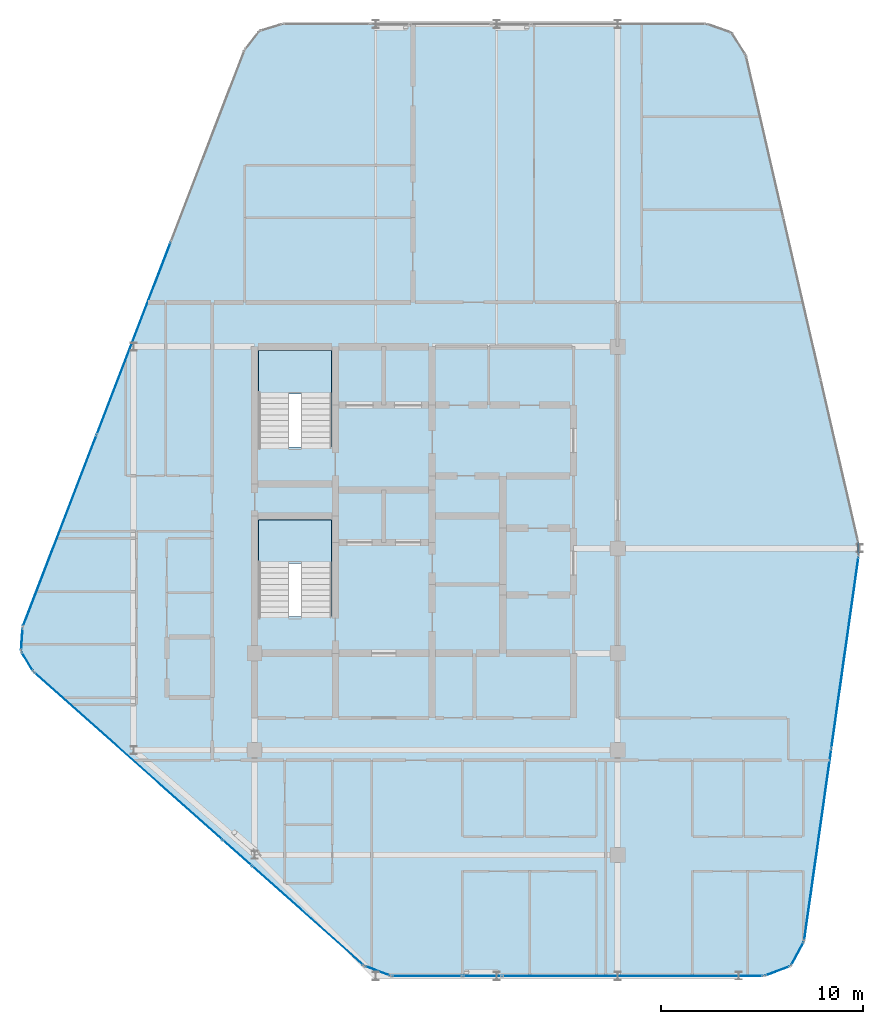
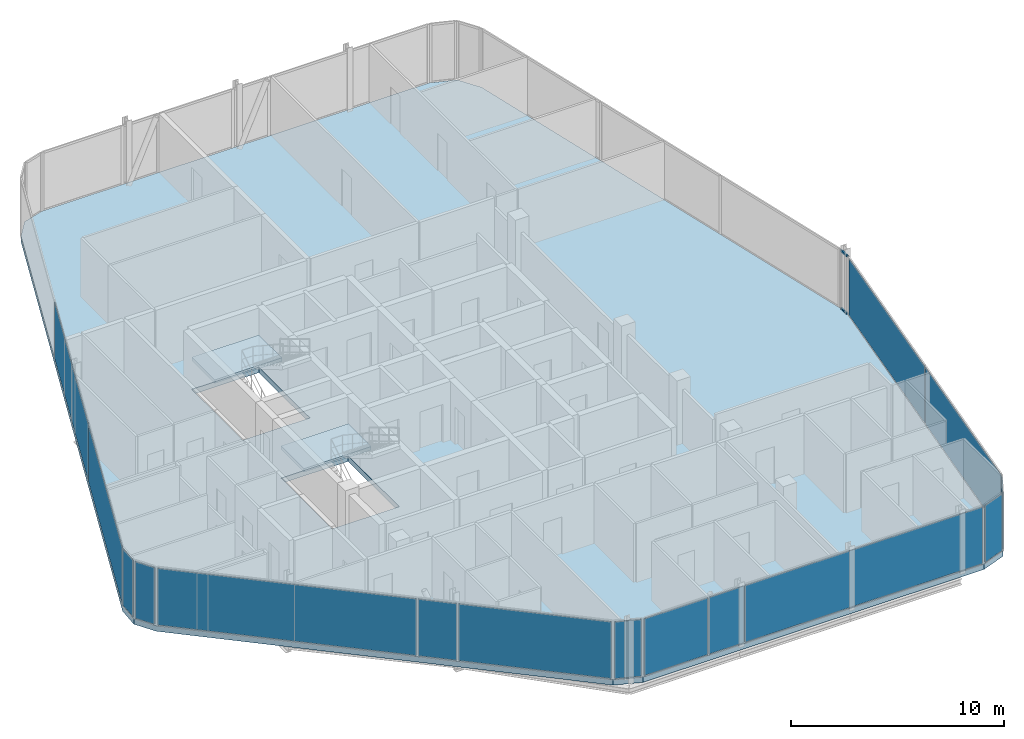
# One storey, part 20 of 27: 15 plates, 3 slabs, 2 members, 16 elements without a shape of their own.
"""IFC4 building model written with IfcOpenShell, lengths in metres."""

import ifcopenshell
import ifcopenshell.guid

model = None  # the IFC model being written
_history = None  # IfcOwnerHistory: only IFC2X3 demands one
_inside = {}  # id of a spatial element -> (the spatial element, [elements in it])
_under = {}  # id of a project, library or spatial element -> (it, [spatial elements below it])
_declared = {}  # id of a project -> (the project, [libraries it declares])
_typed = {}  # id of a type object -> (the type object, [elements of that type])
_made_of = {}  # id of a material, layer set ... -> (it, [elements and type objects made of it])


def new_model(schema):
    """Start an empty IFC model of exactly this schema.

    Asked for "IFC4X3", IfcOpenShell would pick the latest addendum, in which some entities
    have other attributes; the version numbers below select the first issue.
    IFC2X3 requires an IfcOwnerHistory on every rooted entity: one is made here for all.
    """
    global model, _history
    if schema == "IFC4X3":
        model = ifcopenshell.file(schema_version=(4, 3, 0, 0))
    else:
        model = ifcopenshell.file(schema=schema)
    _inside.clear()
    _under.clear()
    _declared.clear()
    _typed.clear()
    _made_of.clear()
    _history = None
    if model.schema == "IFC2X3":
        org = make("IfcOrganization", Name="unknown")
        user = make(
            "IfcPersonAndOrganization",
            ThePerson=make("IfcPerson", FamilyName="unknown"),
            TheOrganization=org,
        )
        app = make(
            "IfcApplication",
            ApplicationDeveloper=org,
            Version="unknown",
            ApplicationFullName="unknown",
            ApplicationIdentifier="unknown",
        )
        _history = make(
            "IfcOwnerHistory",
            OwningUser=user,
            OwningApplication=app,
            ChangeAction="ADDED",
            CreationDate=0,
        )
    return model


def make(cls, **values):
    """One entity of the class cls with the attributes given. An attribute that is None is left unset."""
    return model.create_entity(
        cls, **{name: value for name, value in values.items() if value is not None}
    )


def rooted(cls, **values):
    """An entity with a GlobalId (a new one), such as an element, a storey or a relation."""
    return make(cls, GlobalId=ifcopenshell.guid.new(), OwnerHistory=_history, **values)


def si_unit(unit_type, name, prefix=None):
    """IfcSIUnit, for example si_unit("LENGTHUNIT", "METRE", prefix="MILLI")."""
    return make("IfcSIUnit", UnitType=unit_type, Prefix=prefix, Name=name)


def assignment(units):
    """IfcUnitAssignment: the units of a project."""
    return None if units is None else make("IfcUnitAssignment", Units=units)


def point(xyz):
    """IfcCartesianPoint."""
    return None if xyz is None else make("IfcCartesianPoint", Coordinates=xyz)


def direction(xyz):
    """IfcDirection."""
    return None if xyz is None else make("IfcDirection", DirectionRatios=xyz)


def frame(location, z_axis=None, x_axis=None):
    """IfcAxis2Placement3D, a coordinate frame: its origin and axes. An axis left out is left unset."""
    return make(
        "IfcAxis2Placement3D",
        Location=point(location),
        Axis=direction(z_axis),
        RefDirection=direction(x_axis),
    )


def frame_2d(location, x_axis=None):
    """IfcAxis2Placement2D, a coordinate frame in the plane: its origin and x axis."""
    return make(
        "IfcAxis2Placement2D", Location=point(location), RefDirection=direction(x_axis)
    )


def origin():
    """The frame at (0, 0, 0) with its axes left unset."""
    return frame((0.0, 0.0, 0.0))


def origin_2d():
    """The frame at (0, 0) in the plane with its x axis left unset."""
    return frame_2d((0.0, 0.0))


def place(relative_to, where):
    """IfcLocalPlacement: puts the frame where relative to a parent placement (None: the world)."""
    return make(
        "IfcLocalPlacement", PlacementRelTo=relative_to, RelativePlacement=where
    )


def context(
    kind, dimensions, precision=None, world=None, true_north=None, identifier=None
):
    """IfcGeometricRepresentationContext, for example the 3D "Model" context."""
    return make(
        "IfcGeometricRepresentationContext",
        ContextIdentifier=identifier,
        ContextType=kind,
        CoordinateSpaceDimension=dimensions,
        Precision=precision,
        WorldCoordinateSystem=world,
        TrueNorth=true_north,
    )


def subcontext(parent, identifier, kind, view, scale=None):
    """IfcGeometricRepresentationSubContext, for example "Body" below "Model"."""
    return make(
        "IfcGeometricRepresentationSubContext",
        ContextIdentifier=identifier,
        ContextType=kind,
        ParentContext=parent,
        TargetScale=scale,
        TargetView=view,
    )


def project(units=None, contexts=None):
    """IfcProject with its units and contexts."""
    return rooted(
        "IfcProject",
        Name="project",
        RepresentationContexts=contexts,
        UnitsInContext=assignment(units),
    )


def spatial(cls, under=None, at=None, **own):
    """A site, building, storey or space (cls), placed at a placement, below another one or the project."""
    s = rooted(cls, ObjectPlacement=at, **own)
    if under is not None:
        _under.setdefault(under.id(), (under, []))[1].append(s)
    return s


def polyline(points):
    """IfcPolyline through the points."""
    return make("IfcPolyline", Points=[point(p) for p in points])


def profile(cls, at=None, kind="AREA", **sizes):
    """A parametric profile (cls). Its sizes go by their IFC names, for example OverallWidth=200.0."""
    return make(cls, ProfileType=kind, Position=at, **sizes)


def rectangle(**sizes):
    """IfcRectangleProfileDef."""
    return profile("IfcRectangleProfileDef", **sizes)


def hollow_rectangle(**sizes):
    """IfcRectangleHollowProfileDef."""
    return profile("IfcRectangleHollowProfileDef", **sizes)


def outline(outer, holes=None, kind="AREA"):
    """IfcArbitraryClosedProfileDef: a profile drawn as a closed curve; with holes, ...WithVoids."""
    if holes is None:
        return make("IfcArbitraryClosedProfileDef", ProfileType=kind, OuterCurve=outer)
    return make(
        "IfcArbitraryProfileDefWithVoids",
        ProfileType=kind,
        OuterCurve=outer,
        InnerCurves=holes,
    )


def extrude(swept, where, along, depth):
    """IfcExtrudedAreaSolid: the profile swept, set in the frame where, extruded along a direction by depth."""
    return make(
        "IfcExtrudedAreaSolid",
        SweptArea=swept,
        Position=where,
        ExtrudedDirection=direction(along),
        Depth=depth,
    )


def shape(context_of_items, identifier, shape_type, items):
    """IfcShapeRepresentation: the items that make up one representation, for example the "Body"."""
    return make(
        "IfcShapeRepresentation",
        ContextOfItems=context_of_items,
        RepresentationIdentifier=identifier,
        RepresentationType=shape_type,
        Items=items,
    )


def material(Name=None, Category=None):
    """IfcMaterial."""
    return make("IfcMaterial", Name=Name, Category=Category)


def layer(
    of_material, thickness, ventilated=None, Name=None, Category=None, Priority=None
):
    """IfcMaterialLayer: one layer of a wall or slab, of a material (None: an air gap)."""
    return make(
        "IfcMaterialLayer",
        Material=of_material,
        LayerThickness=thickness,
        IsVentilated=ventilated,
        Name=Name,
        Category=Category,
        Priority=Priority,
    )


def layer_set(layers, Name=None):
    """IfcMaterialLayerSet."""
    return make("IfcMaterialLayerSet", MaterialLayers=layers, LayerSetName=Name)


def material_profile(
    of_material, cross_section, Name=None, Category=None, Priority=None
):
    """IfcMaterialProfile: a cross section and its material."""
    return make(
        "IfcMaterialProfile",
        Name=Name,
        Material=of_material,
        Profile=cross_section,
        Priority=Priority,
        Category=Category,
    )


def profile_set(profiles, Name=None, composite=None):
    """IfcMaterialProfileSet."""
    return make(
        "IfcMaterialProfileSet",
        Name=Name,
        MaterialProfiles=profiles,
        CompositeProfile=composite,
    )


def made_of(thing, what):
    """Note that an element or type object is made of a material, layer set ...; save() writes the relation."""
    if what is not None:
        _made_of.setdefault(what.id(), (what, []))[1].append(thing)
    return thing


def type_object(cls, material=None, **own):
    """A type object (cls), such as IfcWallType, which elements share."""
    return made_of(rooted(cls, **own), material)


def element(
    cls,
    number,
    at=None,
    inside=None,
    cuts=None,
    type_object=None,
    material=None,
    context=None,
    identifier="Body",
    shape_type=None,
    held_by="IfcProductDefinitionShape",
    body=None,
    shapes=None,
    **own,
):
    """One element of the class cls, such as IfcWall. Its Tag is "e" and its number.

    at: its placement. inside: the storey or other place that contains it. cuts: it is an
    opening in that element (IfcRelVoidsElement). A single representation is given by context,
    identifier, shape_type and body (its items); several are given by shapes. held_by: the class
    of the entity that holds the representations. save() writes the other relations.
    """
    e = rooted(cls, Tag="e%d" % number, ObjectPlacement=at, **own)
    if body is not None:
        shapes = [shape(context, identifier, shape_type, body)]
    if shapes is not None:
        e.Representation = make(held_by, Representations=shapes)
    if inside is not None:
        _inside.setdefault(inside.id(), (inside, []))[1].append(e)
    if cuts is not None:
        rooted(
            "IfcRelVoidsElement", RelatingBuildingElement=cuts, RelatedOpeningElement=e
        )
    if type_object is not None:
        _typed.setdefault(type_object.id(), (type_object, []))[1].append(e)
    return made_of(e, material)


def aggregate(whole, parts):
    """IfcRelAggregates: a whole, such as a stair, and the parts it consists of."""
    return rooted("IfcRelAggregates", RelatingObject=whole, RelatedObjects=parts)


def save(model, path):
    """Write the relations noted so far, then the file.

    IfcRelAggregates (storeys below a building ...), IfcRelContainedInSpatialStructure (elements
    in a storey), IfcRelDefinesByType, IfcRelAssociatesMaterial and IfcRelDeclares: one each for
    every whole, place, type object, material and project.
    """
    for whole, parts in _under.values():
        aggregate(whole, parts)
    for where, things in _inside.values():
        rooted(
            "IfcRelContainedInSpatialStructure",
            RelatedElements=things,
            RelatingStructure=where,
        )
    for kind, things in _typed.values():
        rooted("IfcRelDefinesByType", RelatedObjects=things, RelatingType=kind)
    for what, things in _made_of.values():
        rooted("IfcRelAssociatesMaterial", RelatedObjects=things, RelatingMaterial=what)
    for by, libraries in _declared.values():
        rooted("IfcRelDeclares", RelatingContext=by, RelatedDefinitions=libraries)
    model.write(path)


model = new_model("IFC4")

# Units and contexts
model_context = context("Model", 3, precision=1e-05, world=origin(), true_north=direction((0.0, 1.0)))
body_context = subcontext(model_context, "Body", "Model", "MODEL_VIEW")
ifc_project = project(units=[si_unit("LENGTHUNIT", "METRE"), si_unit("AREAUNIT", "SQUARE_METRE"), si_unit("VOLUMEUNIT", "CUBIC_METRE"), si_unit("PLANEANGLEUNIT", "RADIAN"), si_unit("MASSUNIT", "GRAM", prefix="KILO")], contexts=[model_context])

# Site, building, storey
site_placement = place(None, origin())
site = spatial("IfcSite", under=ifc_project, at=site_placement, CompositionType="ELEMENT")
building_placement = place(site_placement, origin())
building = spatial("IfcBuilding", under=site, at=building_placement, Name="Keshet Zoharim Tower", CompositionType="ELEMENT")
storey_placement = place(building_placement, frame((0.0, 0.0, 247.300048828125)))
storey = spatial("IfcBuildingStorey", under=building, at=storey_placement, Name="L61", CompositionType="ELEMENT", Elevation=247.300048828125)

# Curtain wall, members
ifc_material_1 = material(Name="Aluminium 6063-T6", Category="aluminium")
ifc_layer_1 = layer(ifc_material_1, 0.260009765625)
ifc_layer_set_1 = layer_set([ifc_layer_1], Name="Aluminium 6063-T6")
curtain_wall_type = type_object("IfcCurtainWallType", Name="CW-SYS-06", PredefinedType="NOTDEFINED", material=ifc_layer_set_1)
curtain_wall_1_placement = place(storey_placement, origin())
curtain_wall_1 = element("IfcCurtainWall", 1, at=curtain_wall_1_placement, inside=storey, type_object=curtain_wall_type, Name="L61 Unitised Curtain Wall 10", PredefinedType="NOTDEFINED")
ifc_material_profile = material_profile(ifc_material_1, hollow_rectangle(XDim=0.074951171875, YDim=0.1201171875, WallThickness=0.00390625, at=origin_2d()), Name="TRN-75x120")
ifc_profile_set = profile_set([ifc_material_profile], Name="Aluminium 6063-T6")
member_type = type_object("IfcMemberType", Name="CWT-T12", PredefinedType="USERDEFINED", material=ifc_profile_set)
member_1_placement = place(storey_placement, frame((44.9189453125, 28.192138671875, 0.034912109375), z_axis=(0.043813905352, -0.99903970977, 0.0), x_axis=(0.99903970977, 0.043813905352, 0.0)))
member_1 = element("IfcMember", 2, at=member_1_placement, type_object=member_type, Name="CW-06 transom 1.1", ObjectType="TRANSOM", PredefinedType="USERDEFINED", context=body_context, shape_type="SweptSolid", body=[
    extrude(hollow_rectangle(XDim=0.074951171875, YDim=0.1201171875, WallThickness=0.00390625, at=origin_2d()), origin(), (0.0, 0.0, 1.0), 0.590576171875),
])
member_2_placement = place(storey_placement, frame((44.9189453125, 28.192138671875, 3.35498046875), z_axis=(0.043813905352, -0.99903970977, 0.0), x_axis=(0.99903970977, 0.043813905352, 0.0)))
member_2 = element("IfcMember", 3, at=member_2_placement, type_object=member_type, Name="CW-06 transom 1.2", ObjectType="TRANSOM", PredefinedType="USERDEFINED", context=body_context, shape_type="SweptSolid", body=[
    extrude(hollow_rectangle(XDim=0.074951171875, YDim=0.1201171875, WallThickness=0.00390625, at=origin_2d()), origin(), (0.0, 0.0, 1.0), 0.590576171875),
])
aggregate(curtain_wall_1, [member_1, member_2])

# Curtain wall, plate
curtain_wall_2_placement = place(storey_placement, origin())
curtain_wall_2 = element("IfcCurtainWall", 4, at=curtain_wall_2_placement, inside=storey, type_object=curtain_wall_type, Name="L61 Unitised Curtain Wall 01", PredefinedType="NOTDEFINED")
ifc_material_2 = material(Name="Insulated Low-E Clear Glass", Category="glass")
ifc_layer_2 = layer(ifc_material_2, 0.028076171875)
ifc_layer_set_2 = layer_set([ifc_layer_2], Name="Insulated Low-E Clear Glass")
plate_type_1 = type_object("IfcPlateType", Name="CWP-03", PredefinedType="CURTAIN_PANEL", material=ifc_layer_set_2)
plate_1_placement = place(storey_placement, frame((3.7275390625, 22.291015625, 0.070068359375), z_axis=(0.0, 0.0, 1.0), x_axis=(-0.515604947933, 0.856826433805, 0.0)))
plate_1 = element("IfcPlate", 5, at=plate_1_placement, type_object=plate_type_1, Name="CW-06 panel 1.1", PredefinedType="CURTAIN_PANEL", context=body_context, shape_type="SweptSolid", body=[
    extrude(rectangle(XDim=1.052734375, YDim=0.028076171875, at=origin_2d()), origin(), (0.0, 0.0, 1.0), 3.25),
])
aggregate(curtain_wall_2, [plate_1])

curtain_wall_3_placement = place(storey_placement, origin())
curtain_wall_3 = element("IfcCurtainWall", 6, at=curtain_wall_3_placement, inside=storey, type_object=curtain_wall_type, Name="L61 Unitised Curtain Wall 02", PredefinedType="NOTDEFINED")
plate_2_placement = place(storey_placement, frame((3.45849609375, 23.3974609375, 0.070068359375), z_axis=(0.0, 0.0, 1.0), x_axis=(0.064516859374, 0.997916617186, 0.0)))
plate_2 = element("IfcPlate", 7, at=plate_2_placement, type_object=plate_type_1, Name="CW-06 panel 1.1", PredefinedType="CURTAIN_PANEL", context=body_context, shape_type="SweptSolid", body=[
    extrude(rectangle(XDim=1.053466796875, YDim=0.028076171875, at=origin_2d()), origin(), (0.0, 0.0, 1.0), 3.25),
])
aggregate(curtain_wall_3, [plate_2])

# Curtain wall, plates
curtain_wall_4_placement = place(storey_placement, origin())
curtain_wall_4 = element("IfcCurtainWall", 8, at=curtain_wall_4_placement, inside=storey, type_object=curtain_wall_type, Name="L61 Unitised Curtain Wall 03", PredefinedType="NOTDEFINED")
plate_3_placement = place(storey_placement, frame((5.33837890625, 28.7802734375, 0.070068359375), z_axis=(0.0, 0.0, 1.0), x_axis=(0.358990003907, 0.933341404361, 0.0)))
plate_3 = element("IfcPlate", 9, at=plate_3_placement, type_object=plate_type_1, Name="CW-06 panel 1.1", PredefinedType="CURTAIN_PANEL", context=body_context, shape_type="SweptSolid", body=[
    extrude(rectangle(XDim=10.1181640625, YDim=0.028076171875, at=origin_2d()), origin(), (0.0, 0.0, 1.0), 3.25),
])
plate_4_placement = place(storey_placement, frame((9.001953125, 38.305419921875, 0.070068359375), z_axis=(0.0, 0.0, 1.0), x_axis=(0.358990003907, 0.933341404361, 0.0)))
plate_4 = element("IfcPlate", 10, at=plate_4_placement, type_object=plate_type_1, Name="CW-06 panel 2.1", PredefinedType="CURTAIN_PANEL", context=body_context, shape_type="SweptSolid", body=[
    extrude(rectangle(XDim=10.153076171875, YDim=0.028076171875, at=origin_2d()), origin(), (0.0, 0.0, 1.0), 3.25),
])
aggregate(curtain_wall_4, [plate_3, plate_4])

curtain_wall_5_placement = place(storey_placement, origin())
curtain_wall_5 = element("IfcCurtainWall", 11, at=curtain_wall_5_placement, inside=storey, type_object=curtain_wall_type, Name="L61 Unitised Curtain Wall 11", PredefinedType="NOTDEFINED")
plate_5_placement = place(storey_placement, frame((44.269287109375, 22.736572265625, 0.070068359375), z_axis=(0.0, 0.0, 1.0), x_axis=(-0.140137464177, -0.990132057422, 0.0)))
plate_5 = element("IfcPlate", 12, at=plate_5_placement, type_object=plate_type_1, Name="CW-06 panel 1.1", PredefinedType="CURTAIN_PANEL", context=body_context, shape_type="SweptSolid", body=[
    extrude(rectangle(XDim=9.546142578125, YDim=0.028076171875, at=origin_2d()), origin(), (0.0, 0.0, 1.0), 3.25),
])
plate_6_placement = place(storey_placement, frame((42.921630859375, 13.21533203125, 0.070068359375), z_axis=(0.0, 0.0, 1.0), x_axis=(-0.140137464177, -0.990132057422, 0.0)))
plate_6 = element("IfcPlate", 13, at=plate_6_placement, type_object=plate_type_1, Name="CW-06 panel 2.1", PredefinedType="CURTAIN_PANEL", context=body_context, shape_type="SweptSolid", body=[
    extrude(rectangle(XDim=9.546142578125, YDim=0.028076171875, at=origin_2d()), origin(), (0.0, 0.0, 1.0), 3.25),
])
aggregate(curtain_wall_5, [plate_5, plate_6])

# Curtain wall, plate
curtain_wall_6_placement = place(storey_placement, origin())
curtain_wall_6 = element("IfcCurtainWall", 14, at=curtain_wall_6_placement, inside=storey, type_object=curtain_wall_type, Name="L61 Unitised Curtain Wall 12", PredefinedType="NOTDEFINED")
plate_7_placement = place(storey_placement, frame((41.908447265625, 7.804931640625, 0.070068359375), z_axis=(0.0, 0.0, 1.0), x_axis=(-0.477800955789, -0.878468125004, 0.0)))
plate_7 = element("IfcPlate", 15, at=plate_7_placement, type_object=plate_type_1, Name="CW-06 panel 1.1", PredefinedType="CURTAIN_PANEL", context=body_context, shape_type="SweptSolid", body=[
    extrude(rectangle(XDim=1.26025390625, YDim=0.028076171875, at=origin_2d()), origin(), (0.0, 0.0, 1.0), 3.25),
])
aggregate(curtain_wall_6, [plate_7])

curtain_wall_7_placement = place(storey_placement, origin())
curtain_wall_7 = element("IfcCurtainWall", 16, at=curtain_wall_7_placement, inside=storey, type_object=curtain_wall_type, Name="L61 Unitised Curtain Wall 13", PredefinedType="NOTDEFINED")
plate_8_placement = place(storey_placement, frame((40.91845703125, 6.945068359375, 0.070068359375), z_axis=(0.0, 0.0, 1.0), x_axis=(-0.936710343781, -0.350105315376, 0.0)))
plate_8 = element("IfcPlate", 17, at=plate_8_placement, type_object=plate_type_1, Name="CW-06 panel 1.1", PredefinedType="CURTAIN_PANEL", context=body_context, shape_type="SweptSolid", body=[
    extrude(rectangle(XDim=1.259521484375, YDim=0.028076171875, at=origin_2d()), origin(), (0.0, 0.0, 1.0), 3.25),
])
aggregate(curtain_wall_7, [plate_8])

curtain_wall_8_placement = place(storey_placement, origin())
curtain_wall_8 = element("IfcCurtainWall", 18, at=curtain_wall_8_placement, inside=storey, type_object=curtain_wall_type, Name="L61 Unitised Curtain Wall 14", PredefinedType="NOTDEFINED")
plate_9_placement = place(storey_placement, frame((33.743896484375, 6.699951171875, 0.070068359375), z_axis=(0.0, 0.0, 1.0), x_axis=(-1.0, 0.0, 0.0)))
plate_9 = element("IfcPlate", 19, at=plate_9_placement, type_object=plate_type_1, Name="CW-06 panel 1.1", PredefinedType="CURTAIN_PANEL", context=body_context, shape_type="SweptSolid", body=[
    extrude(rectangle(XDim=12.898193359375, YDim=0.028076171875, at=origin_2d()), origin(), (0.0, 0.0, 1.0), 3.25),
])
aggregate(curtain_wall_8, [plate_9])

curtain_wall_9_placement = place(storey_placement, origin())
curtain_wall_9 = element("IfcCurtainWall", 20, at=curtain_wall_9_placement, inside=storey, type_object=curtain_wall_type, Name="L61 Unitised Curtain Wall 14 Part 3", PredefinedType="NOTDEFINED")
plate_10_placement = place(storey_placement, frame((23.552490234375, 6.699951171875, 0.070068359375), z_axis=(0.0, 0.0, 1.0), x_axis=(-1.0, 0.0, 0.0)))
plate_10 = element("IfcPlate", 21, at=plate_10_placement, type_object=plate_type_1, Name="CW-06 panel 1.1", PredefinedType="CURTAIN_PANEL", context=body_context, shape_type="SweptSolid", body=[
    extrude(rectangle(XDim=3.4453125, YDim=0.028076171875, at=origin_2d()), origin(), (0.0, 0.0, 1.0), 3.25),
])
aggregate(curtain_wall_9, [plate_10])

curtain_wall_10_placement = place(storey_placement, origin())
curtain_wall_10 = element("IfcCurtainWall", 22, at=curtain_wall_10_placement, inside=storey, type_object=curtain_wall_type, Name="L61 Unitised Curtain Wall 15", PredefinedType="NOTDEFINED")
plate_11_placement = place(storey_placement, frame((21.095947265625, 6.952392578125, 0.070068359375), z_axis=(0.0, 0.0, 1.0), x_axis=(-0.934699418314, 0.355439161326, 0.0)))
plate_11 = element("IfcPlate", 23, at=plate_11_placement, type_object=plate_type_1, Name="CW-06 panel 1.1", PredefinedType="CURTAIN_PANEL", context=body_context, shape_type="SweptSolid", body=[
    extrude(rectangle(XDim=1.28076171875, YDim=0.028076171875, at=origin_2d()), origin(), (0.0, 0.0, 1.0), 3.25),
])
aggregate(curtain_wall_10, [plate_11])

curtain_wall_11_placement = place(storey_placement, origin())
curtain_wall_11 = element("IfcCurtainWall", 24, at=curtain_wall_11_placement, inside=storey, type_object=curtain_wall_type, Name="L61 Unitised Curtain Wall 16", PredefinedType="NOTDEFINED")
plate_12_placement = place(storey_placement, frame((17.634521484375, 9.691650390625, 0.070068359375), z_axis=(0.0, 0.0, 1.0), x_axis=(-0.747410792699, 0.664362180559, 0.0)))
plate_12 = element("IfcPlate", 25, at=plate_12_placement, type_object=plate_type_1, Name="CW-06 panel 1.1", PredefinedType="CURTAIN_PANEL", context=body_context, shape_type="SweptSolid", body=[
    extrude(rectangle(XDim=7.345947265625, YDim=0.028076171875, at=origin_2d()), origin(), (0.0, 0.0, 1.0), 3.25),
])
aggregate(curtain_wall_11, [plate_12])

curtain_wall_12_placement = place(storey_placement, origin())
curtain_wall_12 = element("IfcCurtainWall", 26, at=curtain_wall_12_placement, inside=storey, type_object=curtain_wall_type, Name="L61 Unitised Curtain Wall 16 Part 3", PredefinedType="NOTDEFINED")
plate_13_placement = place(storey_placement, frame((8.7333984375, 17.603515625, 0.070068359375), z_axis=(0.0, 0.0, 1.0), x_axis=(-0.747409318679, 0.664363838836, 0.0)))
plate_13 = element("IfcPlate", 27, at=plate_13_placement, type_object=plate_type_1, Name="CW-06 panel 1.1", PredefinedType="CURTAIN_PANEL", context=body_context, shape_type="SweptSolid", body=[
    extrude(rectangle(XDim=12.432861328125, YDim=0.028076171875, at=origin_2d()), origin(), (0.0, 0.0, 1.0), 3.25),
])
aggregate(curtain_wall_12, [plate_13])

curtain_wall_13_placement = place(storey_placement, origin())
curtain_wall_13 = element("IfcCurtainWall", 28, at=curtain_wall_13_placement, inside=storey, type_object=curtain_wall_type, Name="L61 Unitised Curtain Wall 14 Part 2", PredefinedType="NOTDEFINED")
ifc_material_3 = material(Name="Insulated Aluminium Spandrel Panel", Category="aluminium")
ifc_layer_3 = layer(ifc_material_3, 0.028076171875)
ifc_layer_set_3 = layer_set([ifc_layer_3], Name="Insulated Aluminium Spandrel Panel")
plate_type_2 = type_object("IfcPlateType", Name="CWP-06", PredefinedType="CURTAIN_PANEL", material=ifc_layer_set_3)
plate_14_placement = place(storey_placement, frame((26.284912109375, 6.699951171875, 0.070068359375), z_axis=(0.0, 0.0, 1.0), x_axis=(-1.0, 0.0, 0.0)))
plate_14 = element("IfcPlate", 29, at=plate_14_placement, type_object=plate_type_2, Name="CW-06 spandrel panel 1.1", PredefinedType="CURTAIN_PANEL", context=body_context, shape_type="SweptSolid", body=[
    extrude(rectangle(XDim=1.879638671875, YDim=0.028076171875, at=origin_2d()), origin(), (0.0, 0.0, 1.0), 3.25),
])
aggregate(curtain_wall_13, [plate_14])

curtain_wall_14_placement = place(storey_placement, origin())
curtain_wall_14 = element("IfcCurtainWall", 30, at=curtain_wall_14_placement, inside=storey, type_object=curtain_wall_type, Name="L61 Unitised Curtain Wall 16 Part 2", PredefinedType="NOTDEFINED")
plate_15_placement = place(storey_placement, frame((14.134521484375, 12.802734375, 0.070068359375), z_axis=(0.0, 0.0, 1.0), x_axis=(-0.747431957629, 0.664338369143, 0.0)))
plate_15 = element("IfcPlate", 31, at=plate_15_placement, type_object=plate_type_2, Name="CW-06 spandrel panel 1.1", PredefinedType="CURTAIN_PANEL", context=body_context, shape_type="SweptSolid", body=[
    extrude(rectangle(XDim=1.879638671875, YDim=0.028076171875, at=origin_2d()), origin(), (0.0, 0.0, 1.0), 3.25),
])
aggregate(curtain_wall_14, [plate_15])

# Stair, slab
ifc_material_4 = material(Name="Concrete C50/60", Category="concrete")
stair_type = type_object("IfcStairType", Name="STR-EXIT-135", PredefinedType="HALF_TURN_STAIR", material=ifc_material_4)
stair_1_placement = place(storey_placement, origin())
stair_1 = element("IfcStair", 32, at=stair_1_placement, inside=storey, type_object=stair_type, Name="L61 Enclosed Exit Stair ST-01", PredefinedType="HALF_TURN_STAIR")
ifc_layer_4 = layer(ifc_material_4, 0.199951171875)
ifc_layer_set_4 = layer_set([ifc_layer_4], Name="Concrete C50/60")
slab_type_1 = type_object("IfcSlabType", Name="SLB-LND-200", PredefinedType="LANDING", material=ifc_layer_set_4)
slab_1_placement = place(storey_placement, frame((0.0, 0.0, 1.64990234375)))
slab_1 = element("IfcSlab", 33, at=slab_1_placement, type_object=slab_type_1, Name="ST-01 landing 1", PredefinedType="LANDING", context=body_context, shape_type="SweptSolid", body=[
    extrude(outline(polyline([(15.179931640625, 27.159912109375), (18.820068359375, 27.159912109375), (18.820068359375, 29.320068359375), (15.179931640625, 29.320068359375), (15.179931640625, 27.159912109375)])), origin(), (0.0, 0.0, 1.0), 0.199951171875),
])
aggregate(stair_1, [slab_1])

stair_2_placement = place(storey_placement, origin())
stair_2 = element("IfcStair", 34, at=stair_2_placement, inside=storey, type_object=stair_type, Name="L61 Enclosed Exit Stair ST-02", PredefinedType="HALF_TURN_STAIR")
slab_2_placement = place(storey_placement, frame((0.0, 0.0, 1.64990234375)))
slab_2 = element("IfcSlab", 35, at=slab_2_placement, type_object=slab_type_1, Name="ST-02 landing 1", PredefinedType="LANDING", context=body_context, shape_type="SweptSolid", body=[
    extrude(outline(polyline([(15.179931640625, 35.56005859375), (18.820068359375, 35.56005859375), (18.820068359375, 37.719970703125), (15.179931640625, 37.719970703125), (15.179931640625, 35.56005859375)])), origin(), (0.0, 0.0, 1.0), 0.199951171875),
])
aggregate(stair_2, [slab_2])

# Slab
ifc_layer_5 = layer(ifc_material_4, 0.31005859375)
ifc_layer_set_5 = layer_set([ifc_layer_5], Name="Concrete C50/60")
slab_type_2 = type_object("IfcSlabType", Name="SLB-UPP-240", PredefinedType="FLOOR", material=ifc_layer_set_5)
slab_3_placement = place(storey_placement, frame((0.0, 0.0, -0.31005859375)))
element("IfcSlab", 36, at=slab_3_placement, inside=storey, type_object=slab_type_2, Name="L61 Structural Floor Slab 1", PredefinedType="FLOOR", context=body_context, shape_type="SweptSolid", body=[
    extrude(outline(polyline([(4.034912109375, 21.780029296875), (3.419921875, 22.802001953125), (3.4970703125, 23.992919921875), (14.507080078125, 52.617919921875), (15.240966796875, 53.549072265625), (16.3740234375, 53.89990234375), (37.408935546875, 53.89990234375), (38.654052734375, 53.465087890625), (39.35791015625, 52.35009765625), (44.916015625, 28.261962890625), (44.947998046875, 27.531982421875), (42.242919921875, 8.419921875), (41.573974609375, 7.18994140625), (40.262939453125, 6.699951171875), (21.760009765625, 6.699951171875), (20.431884765625, 7.205078125), (4.034912109375, 21.780029296875)]), holes=[polyline([(15.179931640625, 24.52001953125), (18.820068359375, 24.52001953125), (18.820068359375, 29.320068359375), (15.179931640625, 29.320068359375), (15.179931640625, 24.52001953125)]), polyline([(15.179931640625, 32.919921875), (18.820068359375, 32.919921875), (18.820068359375, 37.719970703125), (15.179931640625, 37.719970703125), (15.179931640625, 32.919921875)])]), origin(), (0.0, 0.0, 1.0), 0.31005859375),
])

save(model, "model.ifc")
